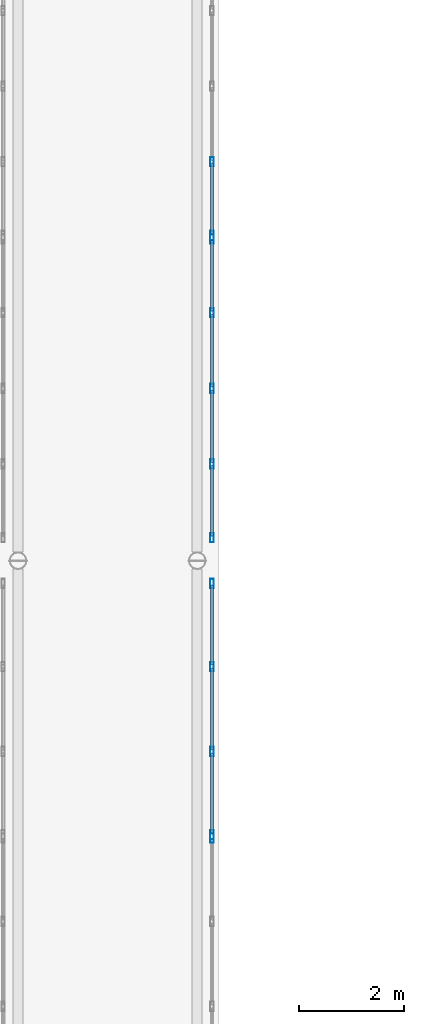
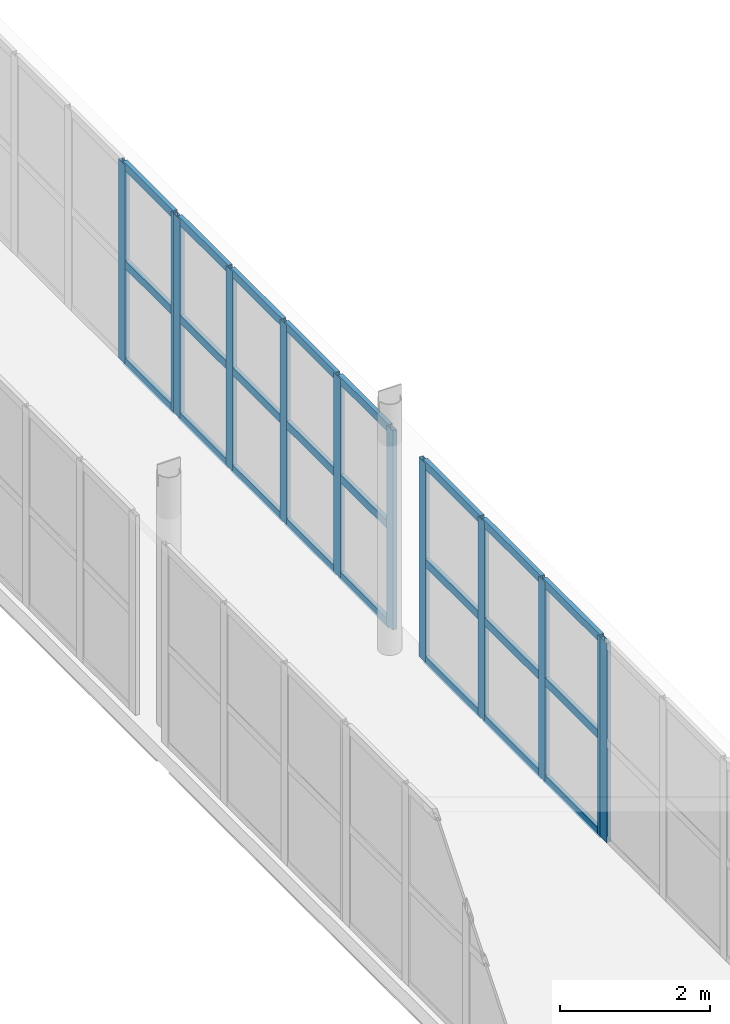
# One storey, part 27 of 52: 36 members, 4 elements without a shape of their own.
"""IFC4 building model written with IfcOpenShell, lengths in metres."""

import ifcopenshell
import ifcopenshell.guid

model = None  # the IFC model being written
_history = None  # IfcOwnerHistory: only IFC2X3 demands one
_inside = {}  # id of a spatial element -> (the spatial element, [elements in it])
_under = {}  # id of a project, library or spatial element -> (it, [spatial elements below it])
_declared = {}  # id of a project -> (the project, [libraries it declares])
_typed = {}  # id of a type object -> (the type object, [elements of that type])
_made_of = {}  # id of a material, layer set ... -> (it, [elements and type objects made of it])


def new_model(schema):
    """Start an empty IFC model of exactly this schema.

    Asked for "IFC4X3", IfcOpenShell would pick the latest addendum, in which some entities
    have other attributes; the version numbers below select the first issue.
    IFC2X3 requires an IfcOwnerHistory on every rooted entity: one is made here for all.
    """
    global model, _history
    if schema == "IFC4X3":
        model = ifcopenshell.file(schema_version=(4, 3, 0, 0))
    else:
        model = ifcopenshell.file(schema=schema)
    _inside.clear()
    _under.clear()
    _declared.clear()
    _typed.clear()
    _made_of.clear()
    _history = None
    if model.schema == "IFC2X3":
        org = make("IfcOrganization", Name="unknown")
        user = make(
            "IfcPersonAndOrganization",
            ThePerson=make("IfcPerson", FamilyName="unknown"),
            TheOrganization=org,
        )
        app = make(
            "IfcApplication",
            ApplicationDeveloper=org,
            Version="unknown",
            ApplicationFullName="unknown",
            ApplicationIdentifier="unknown",
        )
        _history = make(
            "IfcOwnerHistory",
            OwningUser=user,
            OwningApplication=app,
            ChangeAction="ADDED",
            CreationDate=0,
        )
    return model


def make(cls, **values):
    """One entity of the class cls with the attributes given. An attribute that is None is left unset."""
    return model.create_entity(
        cls, **{name: value for name, value in values.items() if value is not None}
    )


def rooted(cls, **values):
    """An entity with a GlobalId (a new one), such as an element, a storey or a relation."""
    return make(cls, GlobalId=ifcopenshell.guid.new(), OwnerHistory=_history, **values)


def si_unit(unit_type, name, prefix=None):
    """IfcSIUnit, for example si_unit("LENGTHUNIT", "METRE", prefix="MILLI")."""
    return make("IfcSIUnit", UnitType=unit_type, Prefix=prefix, Name=name)


def assignment(units):
    """IfcUnitAssignment: the units of a project."""
    return None if units is None else make("IfcUnitAssignment", Units=units)


def point(xyz):
    """IfcCartesianPoint."""
    return None if xyz is None else make("IfcCartesianPoint", Coordinates=xyz)


def direction(xyz):
    """IfcDirection."""
    return None if xyz is None else make("IfcDirection", DirectionRatios=xyz)


def frame(location, z_axis=None, x_axis=None):
    """IfcAxis2Placement3D, a coordinate frame: its origin and axes. An axis left out is left unset."""
    return make(
        "IfcAxis2Placement3D",
        Location=point(location),
        Axis=direction(z_axis),
        RefDirection=direction(x_axis),
    )


def frame_2d(location, x_axis=None):
    """IfcAxis2Placement2D, a coordinate frame in the plane: its origin and x axis."""
    return make(
        "IfcAxis2Placement2D", Location=point(location), RefDirection=direction(x_axis)
    )


def origin():
    """The frame at (0, 0, 0) with its axes left unset."""
    return frame((0.0, 0.0, 0.0))


def origin_2d():
    """The frame at (0, 0) in the plane with its x axis left unset."""
    return frame_2d((0.0, 0.0))


def place(relative_to, where):
    """IfcLocalPlacement: puts the frame where relative to a parent placement (None: the world)."""
    return make(
        "IfcLocalPlacement", PlacementRelTo=relative_to, RelativePlacement=where
    )


def context(
    kind, dimensions, precision=None, world=None, true_north=None, identifier=None
):
    """IfcGeometricRepresentationContext, for example the 3D "Model" context."""
    return make(
        "IfcGeometricRepresentationContext",
        ContextIdentifier=identifier,
        ContextType=kind,
        CoordinateSpaceDimension=dimensions,
        Precision=precision,
        WorldCoordinateSystem=world,
        TrueNorth=true_north,
    )


def subcontext(parent, identifier, kind, view, scale=None):
    """IfcGeometricRepresentationSubContext, for example "Body" below "Model"."""
    return make(
        "IfcGeometricRepresentationSubContext",
        ContextIdentifier=identifier,
        ContextType=kind,
        ParentContext=parent,
        TargetScale=scale,
        TargetView=view,
    )


def project(units=None, contexts=None):
    """IfcProject with its units and contexts."""
    return rooted(
        "IfcProject",
        Name="project",
        RepresentationContexts=contexts,
        UnitsInContext=assignment(units),
    )


def spatial(cls, under=None, at=None, **own):
    """A site, building, storey or space (cls), placed at a placement, below another one or the project."""
    s = rooted(cls, ObjectPlacement=at, **own)
    if under is not None:
        _under.setdefault(under.id(), (under, []))[1].append(s)
    return s


def profile(cls, at=None, kind="AREA", **sizes):
    """A parametric profile (cls). Its sizes go by their IFC names, for example OverallWidth=200.0."""
    return make(cls, ProfileType=kind, Position=at, **sizes)


def hollow_rectangle(**sizes):
    """IfcRectangleHollowProfileDef."""
    return profile("IfcRectangleHollowProfileDef", **sizes)


def extrude(swept, where, along, depth):
    """IfcExtrudedAreaSolid: the profile swept, set in the frame where, extruded along a direction by depth."""
    return make(
        "IfcExtrudedAreaSolid",
        SweptArea=swept,
        Position=where,
        ExtrudedDirection=direction(along),
        Depth=depth,
    )


def shape(context_of_items, identifier, shape_type, items):
    """IfcShapeRepresentation: the items that make up one representation, for example the "Body"."""
    return make(
        "IfcShapeRepresentation",
        ContextOfItems=context_of_items,
        RepresentationIdentifier=identifier,
        RepresentationType=shape_type,
        Items=items,
    )


def material(Name=None, Category=None):
    """IfcMaterial."""
    return make("IfcMaterial", Name=Name, Category=Category)


def layer(
    of_material, thickness, ventilated=None, Name=None, Category=None, Priority=None
):
    """IfcMaterialLayer: one layer of a wall or slab, of a material (None: an air gap)."""
    return make(
        "IfcMaterialLayer",
        Material=of_material,
        LayerThickness=thickness,
        IsVentilated=ventilated,
        Name=Name,
        Category=Category,
        Priority=Priority,
    )


def layer_set(layers, Name=None):
    """IfcMaterialLayerSet."""
    return make("IfcMaterialLayerSet", MaterialLayers=layers, LayerSetName=Name)


def material_profile(
    of_material, cross_section, Name=None, Category=None, Priority=None
):
    """IfcMaterialProfile: a cross section and its material."""
    return make(
        "IfcMaterialProfile",
        Name=Name,
        Material=of_material,
        Profile=cross_section,
        Priority=Priority,
        Category=Category,
    )


def profile_set(profiles, Name=None, composite=None):
    """IfcMaterialProfileSet."""
    return make(
        "IfcMaterialProfileSet",
        Name=Name,
        MaterialProfiles=profiles,
        CompositeProfile=composite,
    )


def made_of(thing, what):
    """Note that an element or type object is made of a material, layer set ...; save() writes the relation."""
    if what is not None:
        _made_of.setdefault(what.id(), (what, []))[1].append(thing)
    return thing


def type_object(cls, material=None, **own):
    """A type object (cls), such as IfcWallType, which elements share."""
    return made_of(rooted(cls, **own), material)


def element(
    cls,
    number,
    at=None,
    inside=None,
    cuts=None,
    type_object=None,
    material=None,
    context=None,
    identifier="Body",
    shape_type=None,
    held_by="IfcProductDefinitionShape",
    body=None,
    shapes=None,
    **own,
):
    """One element of the class cls, such as IfcWall. Its Tag is "e" and its number.

    at: its placement. inside: the storey or other place that contains it. cuts: it is an
    opening in that element (IfcRelVoidsElement). A single representation is given by context,
    identifier, shape_type and body (its items); several are given by shapes. held_by: the class
    of the entity that holds the representations. save() writes the other relations.
    """
    e = rooted(cls, Tag="e%d" % number, ObjectPlacement=at, **own)
    if body is not None:
        shapes = [shape(context, identifier, shape_type, body)]
    if shapes is not None:
        e.Representation = make(held_by, Representations=shapes)
    if inside is not None:
        _inside.setdefault(inside.id(), (inside, []))[1].append(e)
    if cuts is not None:
        rooted(
            "IfcRelVoidsElement", RelatingBuildingElement=cuts, RelatedOpeningElement=e
        )
    if type_object is not None:
        _typed.setdefault(type_object.id(), (type_object, []))[1].append(e)
    return made_of(e, material)


def aggregate(whole, parts):
    """IfcRelAggregates: a whole, such as a stair, and the parts it consists of."""
    return rooted("IfcRelAggregates", RelatingObject=whole, RelatedObjects=parts)


def save(model, path):
    """Write the relations noted so far, then the file.

    IfcRelAggregates (storeys below a building ...), IfcRelContainedInSpatialStructure (elements
    in a storey), IfcRelDefinesByType, IfcRelAssociatesMaterial and IfcRelDeclares: one each for
    every whole, place, type object, material and project.
    """
    for whole, parts in _under.values():
        aggregate(whole, parts)
    for where, things in _inside.values():
        rooted(
            "IfcRelContainedInSpatialStructure",
            RelatedElements=things,
            RelatingStructure=where,
        )
    for kind, things in _typed.values():
        rooted("IfcRelDefinesByType", RelatedObjects=things, RelatingType=kind)
    for what, things in _made_of.values():
        rooted("IfcRelAssociatesMaterial", RelatedObjects=things, RelatingMaterial=what)
    for by, libraries in _declared.values():
        rooted("IfcRelDeclares", RelatingContext=by, RelatedDefinitions=libraries)
    model.write(path)


model = new_model("IFC4")

# Units and contexts
model_context = context("Model", 3, precision=1e-05, world=origin(), true_north=direction((0.0, 1.0)))
body_context = subcontext(model_context, "Body", "Model", "MODEL_VIEW")
ifc_project = project(units=[si_unit("LENGTHUNIT", "METRE"), si_unit("AREAUNIT", "SQUARE_METRE"), si_unit("VOLUMEUNIT", "CUBIC_METRE"), si_unit("PLANEANGLEUNIT", "RADIAN"), si_unit("MASSUNIT", "GRAM", prefix="KILO")], contexts=[model_context])

# Site, building, storey
site_placement = place(None, origin())
site = spatial("IfcSite", under=ifc_project, at=site_placement, CompositionType="ELEMENT")
building_placement = place(site_placement, origin())
building = spatial("IfcBuilding", under=site, at=building_placement, Name="Valcora Specialist Clinic", CompositionType="ELEMENT")
storey_placement = place(building_placement, frame((0.0, 0.0, 17.679931640625)))
storey = spatial("IfcBuildingStorey", under=building, at=storey_placement, Name="L04", CompositionType="ELEMENT", Elevation=17.679931640625)

# Curtain wall, member
ifc_material = material(Name="Anodized Bronze Aluminium 6063-T6", Category="aluminium")
ifc_layer = layer(ifc_material, 0.175048828125)
ifc_layer_set = layer_set([ifc_layer], Name="Anodized Bronze Aluminium 6063-T6")
curtain_wall_type = type_object("IfcCurtainWallType", Name="TY-CW-BRG14", PredefinedType="NOTDEFINED", material=ifc_layer_set)
curtain_wall_1_placement = place(storey_placement, origin())
curtain_wall_1 = element("IfcCurtainWall", 1, at=curtain_wall_1_placement, inside=storey, type_object=curtain_wall_type, Name="Curtain wall CW-L04-277", PredefinedType="NOTDEFINED")
ifc_material_profile_1 = material_profile(ifc_material, hollow_rectangle(XDim=0.06494140625, YDim=0.175048828125, WallThickness=0.00390625, at=origin_2d()), Name="AL-MUL-65X175")
ifc_profile_set_1 = profile_set([ifc_material_profile_1], Name="Anodized Bronze Aluminium 6063-T6")
member_type_1 = type_object("IfcMemberType", Name="TY-CWM-65X175", PredefinedType="MULLION", material=ifc_profile_set_1)
member_1_placement = place(storey_placement, frame((65.280029296875, 32.734130859375, 0.0), z_axis=(0.0, 0.0, 1.0), x_axis=(-1.0, 0.0, 0.0)))
member_1 = element("IfcMember", 2, at=member_1_placement, type_object=member_type_1, Name="CW-BRG-14 mullion 4", PredefinedType="MULLION", context=body_context, shape_type="SweptSolid", body=[
    extrude(hollow_rectangle(XDim=0.06494140625, YDim=0.175048828125, WallThickness=0.00390625, at=origin_2d()), origin(), (0.0, 0.0, 1.0), 3.239990234375),
])
aggregate(curtain_wall_1, [member_1])

# Curtain wall, members
curtain_wall_2_placement = place(storey_placement, origin())
curtain_wall_2 = element("IfcCurtainWall", 3, at=curtain_wall_2_placement, inside=storey, type_object=curtain_wall_type, Name="Curtain wall CW-L04-278", PredefinedType="NOTDEFINED")
member_2_placement = place(storey_placement, frame((65.280029296875, 32.79931640625, 0.0), z_axis=(0.0, 0.0, 1.0), x_axis=(-1.0, 0.0, 0.0)))
member_2 = element("IfcMember", 4, at=member_2_placement, type_object=member_type_1, Name="CW-BRG-14 mullion 1", PredefinedType="MULLION", context=body_context, shape_type="SweptSolid", body=[
    extrude(hollow_rectangle(XDim=0.06494140625, YDim=0.175048828125, WallThickness=0.00390625, at=origin_2d()), origin(), (0.0, 0.0, 1.0), 3.239990234375),
])
member_3_placement = place(storey_placement, frame((65.280029296875, 34.377685546875, 0.0), z_axis=(0.0, 0.0, 1.0), x_axis=(-1.0, 0.0, 0.0)))
member_3 = element("IfcMember", 5, at=member_3_placement, type_object=member_type_1, Name="CW-BRG-14 mullion 2", PredefinedType="MULLION", context=body_context, shape_type="SweptSolid", body=[
    extrude(hollow_rectangle(XDim=0.06494140625, YDim=0.175048828125, WallThickness=0.00390625, at=origin_2d()), origin(), (0.0, 0.0, 1.0), 3.239990234375),
])
member_4_placement = place(storey_placement, frame((65.280029296875, 35.989013671875, 0.0), z_axis=(0.0, 0.0, 1.0), x_axis=(-1.0, 0.0, 0.0)))
member_4 = element("IfcMember", 6, at=member_4_placement, type_object=member_type_1, Name="CW-BRG-14 mullion 3", PredefinedType="MULLION", context=body_context, shape_type="SweptSolid", body=[
    extrude(hollow_rectangle(XDim=0.06494140625, YDim=0.175048828125, WallThickness=0.00390625, at=origin_2d()), origin(), (0.0, 0.0, 1.0), 3.239990234375),
])
member_5_placement = place(storey_placement, frame((65.280029296875, 37.5673828125, 0.0), z_axis=(0.0, 0.0, 1.0), x_axis=(-1.0, 0.0, 0.0)))
member_5 = element("IfcMember", 7, at=member_5_placement, type_object=member_type_1, Name="CW-BRG-14 mullion 4", PredefinedType="MULLION", context=body_context, shape_type="SweptSolid", body=[
    extrude(hollow_rectangle(XDim=0.06494140625, YDim=0.175048828125, WallThickness=0.00390625, at=origin_2d()), origin(), (0.0, 0.0, 1.0), 3.239990234375),
])

curtain_wall_3_placement = place(storey_placement, origin())
curtain_wall_3 = element("IfcCurtainWall", 8, at=curtain_wall_3_placement, inside=storey, type_object=curtain_wall_type, Name="Curtain wall CW-L04-279", PredefinedType="NOTDEFINED")
member_6_placement = place(storey_placement, frame((65.280029296875, 38.4326171875, 0.0), z_axis=(0.0, 0.0, 1.0), x_axis=(-1.0, 0.0, 0.0)))
member_6 = element("IfcMember", 9, at=member_6_placement, type_object=member_type_1, Name="CW-BRG-14 mullion 1", PredefinedType="MULLION", context=body_context, shape_type="SweptSolid", body=[
    extrude(hollow_rectangle(XDim=0.06494140625, YDim=0.175048828125, WallThickness=0.00390625, at=origin_2d()), origin(), (0.0, 0.0, 1.0), 3.239990234375),
])
member_7_placement = place(storey_placement, frame((65.280029296875, 39.833251953125, 0.0), z_axis=(0.0, 0.0, 1.0), x_axis=(-1.0, 0.0, 0.0)))
member_7 = element("IfcMember", 10, at=member_7_placement, type_object=member_type_1, Name="CW-BRG-14 mullion 2", PredefinedType="MULLION", context=body_context, shape_type="SweptSolid", body=[
    extrude(hollow_rectangle(XDim=0.06494140625, YDim=0.175048828125, WallThickness=0.00390625, at=origin_2d()), origin(), (0.0, 0.0, 1.0), 3.239990234375),
])
member_8_placement = place(storey_placement, frame((65.280029296875, 41.2666015625, 0.0), z_axis=(0.0, 0.0, 1.0), x_axis=(-1.0, 0.0, 0.0)))
member_8 = element("IfcMember", 11, at=member_8_placement, type_object=member_type_1, Name="CW-BRG-14 mullion 3", PredefinedType="MULLION", context=body_context, shape_type="SweptSolid", body=[
    extrude(hollow_rectangle(XDim=0.06494140625, YDim=0.175048828125, WallThickness=0.00390625, at=origin_2d()), origin(), (0.0, 0.0, 1.0), 3.239990234375),
])
member_9_placement = place(storey_placement, frame((65.280029296875, 42.699951171875, 0.0), z_axis=(0.0, 0.0, 1.0), x_axis=(-1.0, 0.0, 0.0)))
member_9 = element("IfcMember", 12, at=member_9_placement, type_object=member_type_1, Name="CW-BRG-14 mullion 4", PredefinedType="MULLION", context=body_context, shape_type="SweptSolid", body=[
    extrude(hollow_rectangle(XDim=0.06494140625, YDim=0.175048828125, WallThickness=0.00390625, at=origin_2d()), origin(), (0.0, 0.0, 1.0), 3.239990234375),
])
member_10_placement = place(storey_placement, frame((65.280029296875, 44.100830078125, 0.0), z_axis=(0.0, 0.0, 1.0), x_axis=(-1.0, 0.0, 0.0)))
member_10 = element("IfcMember", 13, at=member_10_placement, type_object=member_type_1, Name="CW-BRG-14 mullion 5", PredefinedType="MULLION", context=body_context, shape_type="SweptSolid", body=[
    extrude(hollow_rectangle(XDim=0.06494140625, YDim=0.175048828125, WallThickness=0.00390625, at=origin_2d()), origin(), (0.0, 0.0, 1.0), 3.239990234375),
])

curtain_wall_4_placement = place(storey_placement, origin())
curtain_wall_4 = element("IfcCurtainWall", 14, at=curtain_wall_4_placement, inside=storey, type_object=curtain_wall_type, Name="Curtain wall CW-L04-280", PredefinedType="NOTDEFINED")
member_11_placement = place(storey_placement, frame((65.280029296875, 44.165771484375, 0.0), z_axis=(0.0, 0.0, 1.0), x_axis=(-1.0, 0.0, 0.0)))
member_11 = element("IfcMember", 15, at=member_11_placement, type_object=member_type_1, Name="CW-BRG-14 mullion 1", PredefinedType="MULLION", context=body_context, shape_type="SweptSolid", body=[
    extrude(hollow_rectangle(XDim=0.06494140625, YDim=0.175048828125, WallThickness=0.00390625, at=origin_2d()), origin(), (0.0, 0.0, 1.0), 3.239990234375),
])
member_12_placement = place(storey_placement, frame((65.280029296875, 45.566650390625, 0.0), z_axis=(0.0, 0.0, 1.0), x_axis=(-1.0, 0.0, 0.0)))
member_12 = element("IfcMember", 16, at=member_12_placement, type_object=member_type_1, Name="CW-BRG-14 mullion 2", PredefinedType="MULLION", context=body_context, shape_type="SweptSolid", body=[
    extrude(hollow_rectangle(XDim=0.06494140625, YDim=0.175048828125, WallThickness=0.00390625, at=origin_2d()), origin(), (0.0, 0.0, 1.0), 3.239990234375),
])

# Member
ifc_material_profile_2 = material_profile(ifc_material, hollow_rectangle(XDim=0.06494140625, YDim=0.1298828125, WallThickness=0.00390625, at=origin_2d()), Name="AL-TRN-65X130")
ifc_profile_set_2 = profile_set([ifc_material_profile_2], Name="Anodized Bronze Aluminium 6063-T6")
member_type_2 = type_object("IfcMemberType", Name="TY-CWT-65X130", PredefinedType="USERDEFINED", material=ifc_profile_set_2)
member_13_placement = place(storey_placement, frame((65.280029296875, 32.831787109375, 0.032470703125), z_axis=(0.0, 1.0, 0.0), x_axis=(-1.0, 0.0, 0.0)))
member_13 = element("IfcMember", 17, at=member_13_placement, type_object=member_type_2, Name="CW-BRG-14 transom 1.1", ObjectType="TRANSOM", PredefinedType="USERDEFINED", context=body_context, shape_type="SweptSolid", body=[
    extrude(hollow_rectangle(XDim=0.06494140625, YDim=0.1298828125, WallThickness=0.00390625, at=origin_2d()), origin(), (0.0, 0.0, 1.0), 1.513427734375),
])

member_14_placement = place(storey_placement, frame((65.280029296875, 32.831787109375, 1.6201171875), z_axis=(0.0, 1.0, 0.0), x_axis=(-1.0, 0.0, 0.0)))
member_14 = element("IfcMember", 18, at=member_14_placement, type_object=member_type_2, Name="CW-BRG-14 transom 1.2", ObjectType="TRANSOM", PredefinedType="USERDEFINED", context=body_context, shape_type="SweptSolid", body=[
    extrude(hollow_rectangle(XDim=0.06494140625, YDim=0.1298828125, WallThickness=0.00390625, at=origin_2d()), origin(), (0.0, 0.0, 1.0), 1.513427734375),
])

member_15_placement = place(storey_placement, frame((65.280029296875, 32.831787109375, 3.20751953125), z_axis=(0.0, 1.0, 0.0), x_axis=(-1.0, 0.0, 0.0)))
member_15 = element("IfcMember", 19, at=member_15_placement, type_object=member_type_2, Name="CW-BRG-14 transom 1.3", ObjectType="TRANSOM", PredefinedType="USERDEFINED", context=body_context, shape_type="SweptSolid", body=[
    extrude(hollow_rectangle(XDim=0.06494140625, YDim=0.1298828125, WallThickness=0.00390625, at=origin_2d()), origin(), (0.0, 0.0, 1.0), 1.513427734375),
])

member_16_placement = place(storey_placement, frame((65.280029296875, 34.410400390625, 0.032470703125), z_axis=(0.0, 1.0, 0.0), x_axis=(-1.0, 0.0, 0.0)))
member_16 = element("IfcMember", 20, at=member_16_placement, type_object=member_type_2, Name="CW-BRG-14 transom 2.1", ObjectType="TRANSOM", PredefinedType="USERDEFINED", context=body_context, shape_type="SweptSolid", body=[
    extrude(hollow_rectangle(XDim=0.06494140625, YDim=0.1298828125, WallThickness=0.00390625, at=origin_2d()), origin(), (0.0, 0.0, 1.0), 1.5458984375),
])

member_17_placement = place(storey_placement, frame((65.280029296875, 34.410400390625, 1.6201171875), z_axis=(0.0, 1.0, 0.0), x_axis=(-1.0, 0.0, 0.0)))
member_17 = element("IfcMember", 21, at=member_17_placement, type_object=member_type_2, Name="CW-BRG-14 transom 2.2", ObjectType="TRANSOM", PredefinedType="USERDEFINED", context=body_context, shape_type="SweptSolid", body=[
    extrude(hollow_rectangle(XDim=0.06494140625, YDim=0.1298828125, WallThickness=0.00390625, at=origin_2d()), origin(), (0.0, 0.0, 1.0), 1.5458984375),
])

member_18_placement = place(storey_placement, frame((65.280029296875, 34.410400390625, 3.20751953125), z_axis=(0.0, 1.0, 0.0), x_axis=(-1.0, 0.0, 0.0)))
member_18 = element("IfcMember", 22, at=member_18_placement, type_object=member_type_2, Name="CW-BRG-14 transom 2.3", ObjectType="TRANSOM", PredefinedType="USERDEFINED", context=body_context, shape_type="SweptSolid", body=[
    extrude(hollow_rectangle(XDim=0.06494140625, YDim=0.1298828125, WallThickness=0.00390625, at=origin_2d()), origin(), (0.0, 0.0, 1.0), 1.5458984375),
])

member_19_placement = place(storey_placement, frame((65.280029296875, 36.021484375, 0.032470703125), z_axis=(0.0, 1.0, 0.0), x_axis=(-1.0, 0.0, 0.0)))
member_19 = element("IfcMember", 23, at=member_19_placement, type_object=member_type_2, Name="CW-BRG-14 transom 3.1", ObjectType="TRANSOM", PredefinedType="USERDEFINED", context=body_context, shape_type="SweptSolid", body=[
    extrude(hollow_rectangle(XDim=0.06494140625, YDim=0.1298828125, WallThickness=0.00390625, at=origin_2d()), origin(), (0.0, 0.0, 1.0), 1.513427734375),
])

member_20_placement = place(storey_placement, frame((65.280029296875, 36.021484375, 1.6201171875), z_axis=(0.0, 1.0, 0.0), x_axis=(-1.0, 0.0, 0.0)))
member_20 = element("IfcMember", 24, at=member_20_placement, type_object=member_type_2, Name="CW-BRG-14 transom 3.2", ObjectType="TRANSOM", PredefinedType="USERDEFINED", context=body_context, shape_type="SweptSolid", body=[
    extrude(hollow_rectangle(XDim=0.06494140625, YDim=0.1298828125, WallThickness=0.00390625, at=origin_2d()), origin(), (0.0, 0.0, 1.0), 1.513427734375),
])

member_21_placement = place(storey_placement, frame((65.280029296875, 36.021484375, 3.20751953125), z_axis=(0.0, 1.0, 0.0), x_axis=(-1.0, 0.0, 0.0)))
member_21 = element("IfcMember", 25, at=member_21_placement, type_object=member_type_2, Name="CW-BRG-14 transom 3.3", ObjectType="TRANSOM", PredefinedType="USERDEFINED", context=body_context, shape_type="SweptSolid", body=[
    extrude(hollow_rectangle(XDim=0.06494140625, YDim=0.1298828125, WallThickness=0.00390625, at=origin_2d()), origin(), (0.0, 0.0, 1.0), 1.513427734375),
])

aggregate(curtain_wall_2, [member_2, member_3, member_4, member_5, member_13, member_14, member_15, member_16, member_17, member_18, member_19, member_20, member_21])

member_22_placement = place(storey_placement, frame((65.280029296875, 38.465087890625, 0.032470703125), z_axis=(0.0, 1.0, 0.0), x_axis=(-1.0, 0.0, 0.0)))
member_22 = element("IfcMember", 26, at=member_22_placement, type_object=member_type_2, Name="CW-BRG-14 transom 1.1", ObjectType="TRANSOM", PredefinedType="USERDEFINED", context=body_context, shape_type="SweptSolid", body=[
    extrude(hollow_rectangle(XDim=0.06494140625, YDim=0.1298828125, WallThickness=0.00390625, at=origin_2d()), origin(), (0.0, 0.0, 1.0), 1.335693359375),
])

member_23_placement = place(storey_placement, frame((65.280029296875, 38.465087890625, 1.6201171875), z_axis=(0.0, 1.0, 0.0), x_axis=(-1.0, 0.0, 0.0)))
member_23 = element("IfcMember", 27, at=member_23_placement, type_object=member_type_2, Name="CW-BRG-14 transom 1.2", ObjectType="TRANSOM", PredefinedType="USERDEFINED", context=body_context, shape_type="SweptSolid", body=[
    extrude(hollow_rectangle(XDim=0.06494140625, YDim=0.1298828125, WallThickness=0.00390625, at=origin_2d()), origin(), (0.0, 0.0, 1.0), 1.335693359375),
])

member_24_placement = place(storey_placement, frame((65.280029296875, 38.465087890625, 3.20751953125), z_axis=(0.0, 1.0, 0.0), x_axis=(-1.0, 0.0, 0.0)))
member_24 = element("IfcMember", 28, at=member_24_placement, type_object=member_type_2, Name="CW-BRG-14 transom 1.3", ObjectType="TRANSOM", PredefinedType="USERDEFINED", context=body_context, shape_type="SweptSolid", body=[
    extrude(hollow_rectangle(XDim=0.06494140625, YDim=0.1298828125, WallThickness=0.00390625, at=origin_2d()), origin(), (0.0, 0.0, 1.0), 1.335693359375),
])

member_25_placement = place(storey_placement, frame((65.280029296875, 39.86572265625, 0.032470703125), z_axis=(0.0, 1.0, 0.0), x_axis=(-1.0, 0.0, 0.0)))
member_25 = element("IfcMember", 29, at=member_25_placement, type_object=member_type_2, Name="CW-BRG-14 transom 2.1", ObjectType="TRANSOM", PredefinedType="USERDEFINED", context=body_context, shape_type="SweptSolid", body=[
    extrude(hollow_rectangle(XDim=0.06494140625, YDim=0.1298828125, WallThickness=0.00390625, at=origin_2d()), origin(), (0.0, 0.0, 1.0), 1.368408203125),
])

member_26_placement = place(storey_placement, frame((65.280029296875, 39.86572265625, 1.6201171875), z_axis=(0.0, 1.0, 0.0), x_axis=(-1.0, 0.0, 0.0)))
member_26 = element("IfcMember", 30, at=member_26_placement, type_object=member_type_2, Name="CW-BRG-14 transom 2.2", ObjectType="TRANSOM", PredefinedType="USERDEFINED", context=body_context, shape_type="SweptSolid", body=[
    extrude(hollow_rectangle(XDim=0.06494140625, YDim=0.1298828125, WallThickness=0.00390625, at=origin_2d()), origin(), (0.0, 0.0, 1.0), 1.368408203125),
])

member_27_placement = place(storey_placement, frame((65.280029296875, 39.86572265625, 3.20751953125), z_axis=(0.0, 1.0, 0.0), x_axis=(-1.0, 0.0, 0.0)))
member_27 = element("IfcMember", 31, at=member_27_placement, type_object=member_type_2, Name="CW-BRG-14 transom 2.3", ObjectType="TRANSOM", PredefinedType="USERDEFINED", context=body_context, shape_type="SweptSolid", body=[
    extrude(hollow_rectangle(XDim=0.06494140625, YDim=0.1298828125, WallThickness=0.00390625, at=origin_2d()), origin(), (0.0, 0.0, 1.0), 1.368408203125),
])

member_28_placement = place(storey_placement, frame((65.280029296875, 41.299072265625, 0.032470703125), z_axis=(0.0, 1.0, 0.0), x_axis=(-1.0, 0.0, 0.0)))
member_28 = element("IfcMember", 32, at=member_28_placement, type_object=member_type_2, Name="CW-BRG-14 transom 3.1", ObjectType="TRANSOM", PredefinedType="USERDEFINED", context=body_context, shape_type="SweptSolid", body=[
    extrude(hollow_rectangle(XDim=0.06494140625, YDim=0.1298828125, WallThickness=0.00390625, at=origin_2d()), origin(), (0.0, 0.0, 1.0), 1.368408203125),
])

member_29_placement = place(storey_placement, frame((65.280029296875, 41.299072265625, 1.6201171875), z_axis=(0.0, 1.0, 0.0), x_axis=(-1.0, 0.0, 0.0)))
member_29 = element("IfcMember", 33, at=member_29_placement, type_object=member_type_2, Name="CW-BRG-14 transom 3.2", ObjectType="TRANSOM", PredefinedType="USERDEFINED", context=body_context, shape_type="SweptSolid", body=[
    extrude(hollow_rectangle(XDim=0.06494140625, YDim=0.1298828125, WallThickness=0.00390625, at=origin_2d()), origin(), (0.0, 0.0, 1.0), 1.368408203125),
])

member_30_placement = place(storey_placement, frame((65.280029296875, 41.299072265625, 3.20751953125), z_axis=(0.0, 1.0, 0.0), x_axis=(-1.0, 0.0, 0.0)))
member_30 = element("IfcMember", 34, at=member_30_placement, type_object=member_type_2, Name="CW-BRG-14 transom 3.3", ObjectType="TRANSOM", PredefinedType="USERDEFINED", context=body_context, shape_type="SweptSolid", body=[
    extrude(hollow_rectangle(XDim=0.06494140625, YDim=0.1298828125, WallThickness=0.00390625, at=origin_2d()), origin(), (0.0, 0.0, 1.0), 1.368408203125),
])

member_31_placement = place(storey_placement, frame((65.280029296875, 42.732421875, 0.032470703125), z_axis=(0.0, 1.0, 0.0), x_axis=(-1.0, 0.0, 0.0)))
member_31 = element("IfcMember", 35, at=member_31_placement, type_object=member_type_2, Name="CW-BRG-14 transom 4.1", ObjectType="TRANSOM", PredefinedType="USERDEFINED", context=body_context, shape_type="SweptSolid", body=[
    extrude(hollow_rectangle(XDim=0.06494140625, YDim=0.1298828125, WallThickness=0.00390625, at=origin_2d()), origin(), (0.0, 0.0, 1.0), 1.3359375),
])

member_32_placement = place(storey_placement, frame((65.280029296875, 42.732421875, 1.6201171875), z_axis=(0.0, 1.0, 0.0), x_axis=(-1.0, 0.0, 0.0)))
member_32 = element("IfcMember", 36, at=member_32_placement, type_object=member_type_2, Name="CW-BRG-14 transom 4.2", ObjectType="TRANSOM", PredefinedType="USERDEFINED", context=body_context, shape_type="SweptSolid", body=[
    extrude(hollow_rectangle(XDim=0.06494140625, YDim=0.1298828125, WallThickness=0.00390625, at=origin_2d()), origin(), (0.0, 0.0, 1.0), 1.3359375),
])

member_33_placement = place(storey_placement, frame((65.280029296875, 42.732421875, 3.20751953125), z_axis=(0.0, 1.0, 0.0), x_axis=(-1.0, 0.0, 0.0)))
member_33 = element("IfcMember", 37, at=member_33_placement, type_object=member_type_2, Name="CW-BRG-14 transom 4.3", ObjectType="TRANSOM", PredefinedType="USERDEFINED", context=body_context, shape_type="SweptSolid", body=[
    extrude(hollow_rectangle(XDim=0.06494140625, YDim=0.1298828125, WallThickness=0.00390625, at=origin_2d()), origin(), (0.0, 0.0, 1.0), 1.3359375),
])

aggregate(curtain_wall_3, [member_6, member_7, member_8, member_9, member_10, member_22, member_23, member_24, member_25, member_26, member_27, member_28, member_29, member_30, member_31, member_32, member_33])

member_34_placement = place(storey_placement, frame((65.280029296875, 44.1982421875, 0.032470703125), z_axis=(0.0, 1.0, 0.0), x_axis=(-1.0, 0.0, 0.0)))
member_34 = element("IfcMember", 38, at=member_34_placement, type_object=member_type_2, Name="CW-BRG-14 transom 1.1", ObjectType="TRANSOM", PredefinedType="USERDEFINED", context=body_context, shape_type="SweptSolid", body=[
    extrude(hollow_rectangle(XDim=0.06494140625, YDim=0.1298828125, WallThickness=0.00390625, at=origin_2d()), origin(), (0.0, 0.0, 1.0), 1.3359375),
])

member_35_placement = place(storey_placement, frame((65.280029296875, 44.1982421875, 1.6201171875), z_axis=(0.0, 1.0, 0.0), x_axis=(-1.0, 0.0, 0.0)))
member_35 = element("IfcMember", 39, at=member_35_placement, type_object=member_type_2, Name="CW-BRG-14 transom 1.2", ObjectType="TRANSOM", PredefinedType="USERDEFINED", context=body_context, shape_type="SweptSolid", body=[
    extrude(hollow_rectangle(XDim=0.06494140625, YDim=0.1298828125, WallThickness=0.00390625, at=origin_2d()), origin(), (0.0, 0.0, 1.0), 1.3359375),
])

member_36_placement = place(storey_placement, frame((65.280029296875, 44.1982421875, 3.20751953125), z_axis=(0.0, 1.0, 0.0), x_axis=(-1.0, 0.0, 0.0)))
member_36 = element("IfcMember", 40, at=member_36_placement, type_object=member_type_2, Name="CW-BRG-14 transom 1.3", ObjectType="TRANSOM", PredefinedType="USERDEFINED", context=body_context, shape_type="SweptSolid", body=[
    extrude(hollow_rectangle(XDim=0.06494140625, YDim=0.1298828125, WallThickness=0.00390625, at=origin_2d()), origin(), (0.0, 0.0, 1.0), 1.3359375),
])

aggregate(curtain_wall_4, [member_11, member_12, member_34, member_35, member_36])

save(model, "model.ifc")
